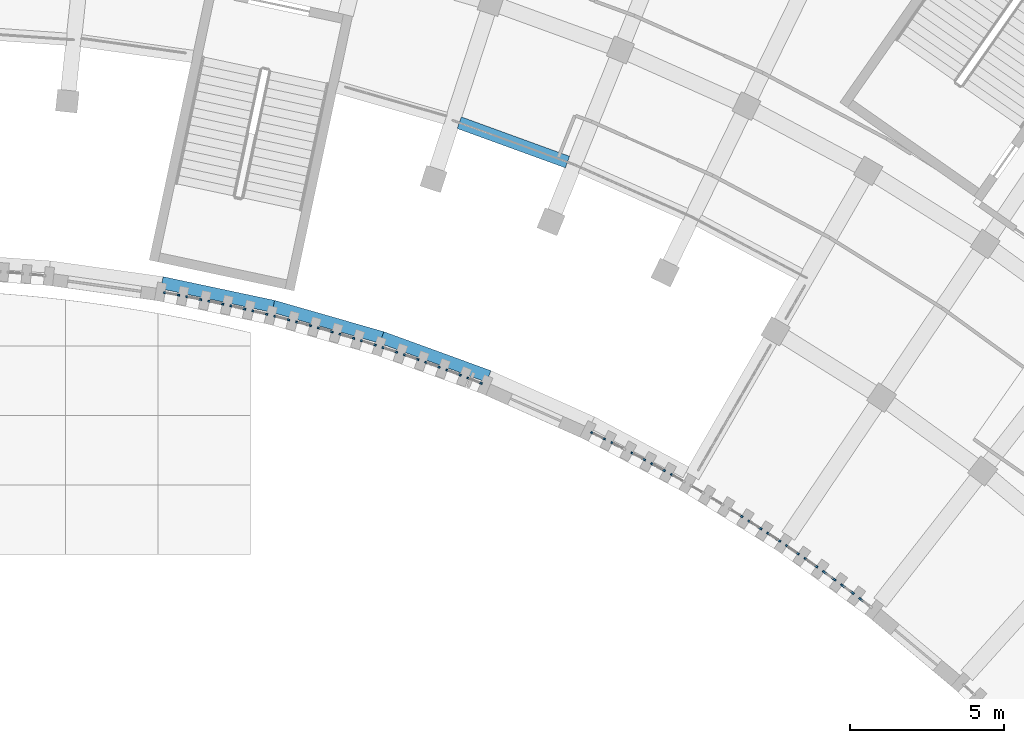
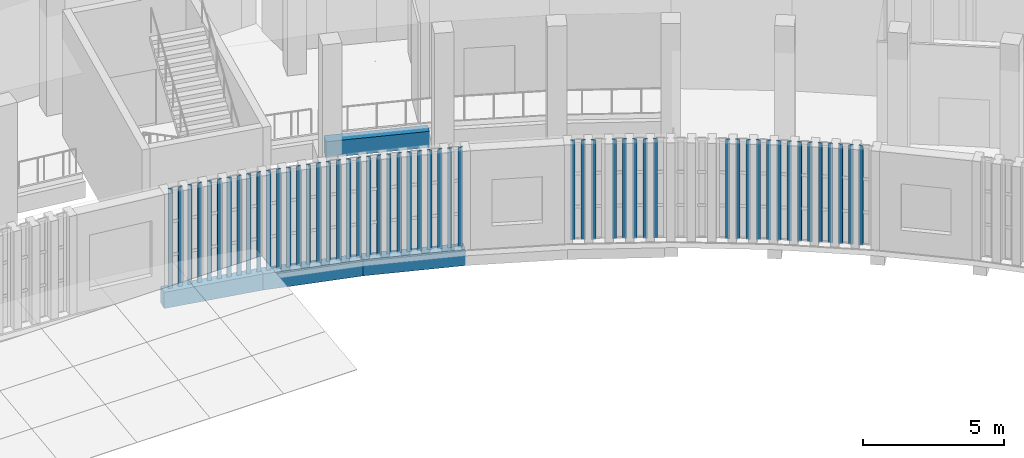
# One storey, part 14 of 112: 52 members, 4 beams, 28 elements without a shape of their own.
"""IFC4 building model written with IfcOpenShell, lengths in metres."""

from ifc_helpers import new_model, si_unit, direction, frame, origin, origin_2d, place, context, subcontext, project, spatial, rectangle, extrude, material, layer, layer_set, material_profile, profile_set, type_object, element, aggregate, save


model = new_model("IFC4")

# Units and contexts
model_context = context("Model", 3, precision=1e-05, world=origin(), true_north=direction((0.0, 1.0)))
body_context = subcontext(model_context, "Body", "Model", "MODEL_VIEW")
ifc_project = project(units=[si_unit("LENGTHUNIT", "METRE"), si_unit("AREAUNIT", "SQUARE_METRE"), si_unit("VOLUMEUNIT", "CUBIC_METRE"), si_unit("PLANEANGLEUNIT", "RADIAN"), si_unit("MASSUNIT", "GRAM", prefix="KILO")], contexts=[model_context])

# Site, building, storey
site_placement = place(None, origin())
site = spatial("IfcSite", under=ifc_project, at=site_placement, CompositionType="ELEMENT")
building_placement = place(site_placement, origin())
building = spatial("IfcBuilding", under=site, at=building_placement, Name="Lunette Opera House", CompositionType="ELEMENT")
storey_placement = place(building_placement, frame((0.0, 0.0, 6.0)))
storey = spatial("IfcBuildingStorey", under=building, at=storey_placement, Name="L01", CompositionType="ELEMENT", Elevation=6.0)

# Curtain wall, members
ifc_material_1 = material(Name="Aluminium", Category="aluminium")
ifc_layer = layer(ifc_material_1, 0.1201171875)
ifc_layer_set = layer_set([ifc_layer], Name="Aluminium")
curtain_wall_type = type_object("IfcCurtainWallType", Name="SLOT CURTAIN WALL", PredefinedType="NOTDEFINED", material=ifc_layer_set)
curtain_wall_1_placement = place(storey_placement, origin())
curtain_wall_1 = element("IfcCurtainWall", 1, at=curtain_wall_1_placement, inside=storey, type_object=curtain_wall_type, Name="Slot Curtain Wall CS046 L01", PredefinedType="NOTDEFINED")
ifc_material_2 = material(Name="Aluminium", Category="aluminium")
ifc_material_profile_1 = material_profile(ifc_material_2, rectangle(XDim=0.06005859375, YDim=0.159912109375, at=origin_2d()), Name="MULLION 60 X 160")
ifc_profile_set_1 = profile_set([ifc_material_profile_1], Name="Aluminium")
member_type = type_object("IfcMemberType", Name="MULLION 60 X 160", PredefinedType="MULLION", material=ifc_profile_set_1)
member_1_placement = place(storey_placement, frame((105.258544921875, 51.4736328125, 0.0), z_axis=(0.0, 0.0, 1.0), x_axis=(0.178681227225, 0.983907017475, 0.0)))
member_1 = element("IfcMember", 2, at=member_1_placement, type_object=member_type, Name="FC-X2092 mullion 1", PredefinedType="MULLION", context=body_context, shape_type="SweptSolid", body=[
    extrude(rectangle(XDim=0.06005859375, YDim=0.159912109375, at=origin_2d()), origin(), (0.0, 0.0, 1.0), 4.300048828125),
])
member_2_placement = place(storey_placement, frame((105.62353515625, 51.407470703125, 0.0), z_axis=(0.0, 0.0, 1.0), x_axis=(0.178681227225, 0.983907017475, 0.0)))
member_2 = element("IfcMember", 3, at=member_2_placement, type_object=member_type, Name="FC-X2092 mullion 2", PredefinedType="MULLION", context=body_context, shape_type="SweptSolid", body=[
    extrude(rectangle(XDim=0.06005859375, YDim=0.159912109375, at=origin_2d()), origin(), (0.0, 0.0, 1.0), 4.300048828125),
])
aggregate(curtain_wall_1, [member_1, member_2])

curtain_wall_2_placement = place(storey_placement, origin())
curtain_wall_2 = element("IfcCurtainWall", 4, at=curtain_wall_2_placement, inside=storey, type_object=curtain_wall_type, Name="Slot Curtain Wall CS047 L01", PredefinedType="NOTDEFINED")
member_3_placement = place(storey_placement, frame((105.976318359375, 51.339111328125, 0.0), z_axis=(0.0, 0.0, 1.0), x_axis=(0.192985163529, 0.981201674814, 0.0)))
member_3 = element("IfcMember", 5, at=member_3_placement, type_object=member_type, Name="FC-X2094 mullion 1", PredefinedType="MULLION", context=body_context, shape_type="SweptSolid", body=[
    extrude(rectangle(XDim=0.06005859375, YDim=0.159912109375, at=origin_2d()), origin(), (0.0, 0.0, 1.0), 4.300048828125),
])
member_4_placement = place(storey_placement, frame((106.339599609375, 51.267822265625, 0.0), z_axis=(0.0, 0.0, 1.0), x_axis=(0.192985163529, 0.981201674814, 0.0)))
member_4 = element("IfcMember", 6, at=member_4_placement, type_object=member_type, Name="FC-X2094 mullion 2", PredefinedType="MULLION", context=body_context, shape_type="SweptSolid", body=[
    extrude(rectangle(XDim=0.06005859375, YDim=0.159912109375, at=origin_2d()), origin(), (0.0, 0.0, 1.0), 4.300048828125),
])
aggregate(curtain_wall_2, [member_3, member_4])

curtain_wall_3_placement = place(storey_placement, origin())
curtain_wall_3 = element("IfcCurtainWall", 7, at=curtain_wall_3_placement, inside=storey, type_object=curtain_wall_type, Name="Slot Curtain Wall CS048 L01", PredefinedType="NOTDEFINED")
member_5_placement = place(storey_placement, frame((106.6923828125, 51.19482421875, 0.0), z_axis=(0.0, 0.0, 1.0), x_axis=(0.206830258672, 0.978376841558, 0.0)))
member_5 = element("IfcMember", 8, at=member_5_placement, type_object=member_type, Name="FC-X2096 mullion 1", PredefinedType="MULLION", context=body_context, shape_type="SweptSolid", body=[
    extrude(rectangle(XDim=0.06005859375, YDim=0.159912109375, at=origin_2d()), origin(), (0.0, 0.0, 1.0), 4.300048828125),
])
member_6_placement = place(storey_placement, frame((107.0546875, 51.1181640625, 0.0), z_axis=(0.0, 0.0, 1.0), x_axis=(0.206830258672, 0.978376841558, 0.0)))
member_6 = element("IfcMember", 9, at=member_6_placement, type_object=member_type, Name="FC-X2096 mullion 2", PredefinedType="MULLION", context=body_context, shape_type="SweptSolid", body=[
    extrude(rectangle(XDim=0.06005859375, YDim=0.159912109375, at=origin_2d()), origin(), (0.0, 0.0, 1.0), 4.300048828125),
])
aggregate(curtain_wall_3, [member_5, member_6])

curtain_wall_4_placement = place(storey_placement, origin())
curtain_wall_4 = element("IfcCurtainWall", 10, at=curtain_wall_4_placement, inside=storey, type_object=curtain_wall_type, Name="Slot Curtain Wall CS049 L01", PredefinedType="NOTDEFINED")
member_7_placement = place(storey_placement, frame((107.40625, 51.041259765625, 0.0), z_axis=(0.0, 0.0, 1.0), x_axis=(0.222824801509, 0.97485850657, 0.0)))
member_7 = element("IfcMember", 11, at=member_7_placement, type_object=member_type, Name="FC-X2098 mullion 1", PredefinedType="MULLION", context=body_context, shape_type="SweptSolid", body=[
    extrude(rectangle(XDim=0.06005859375, YDim=0.159912109375, at=origin_2d()), origin(), (0.0, 0.0, 1.0), 4.300048828125),
])
member_8_placement = place(storey_placement, frame((107.767822265625, 50.958740234375, 0.0), z_axis=(0.0, 0.0, 1.0), x_axis=(0.222824801509, 0.97485850657, 0.0)))
member_8 = element("IfcMember", 12, at=member_8_placement, type_object=member_type, Name="FC-X2098 mullion 2", PredefinedType="MULLION", context=body_context, shape_type="SweptSolid", body=[
    extrude(rectangle(XDim=0.06005859375, YDim=0.159912109375, at=origin_2d()), origin(), (0.0, 0.0, 1.0), 4.300048828125),
])
aggregate(curtain_wall_4, [member_7, member_8])

curtain_wall_5_placement = place(storey_placement, origin())
curtain_wall_5 = element("IfcCurtainWall", 13, at=curtain_wall_5_placement, inside=storey, type_object=curtain_wall_type, Name="Slot Curtain Wall CS050 L01", PredefinedType="NOTDEFINED")
member_9_placement = place(storey_placement, frame((108.1181640625, 50.876953125, 0.0), z_axis=(0.0, 0.0, 1.0), x_axis=(0.234867843442, 0.972027312434, 0.0)))
member_9 = element("IfcMember", 14, at=member_9_placement, type_object=member_type, Name="FC-X2100 mullion 1", PredefinedType="MULLION", context=body_context, shape_type="SweptSolid", body=[
    extrude(rectangle(XDim=0.06005859375, YDim=0.159912109375, at=origin_2d()), origin(), (0.0, 0.0, 1.0), 4.300048828125),
])
member_10_placement = place(storey_placement, frame((108.477783203125, 50.7900390625, 0.0), z_axis=(0.0, 0.0, 1.0), x_axis=(0.234867843442, 0.972027312434, 0.0)))
member_10 = element("IfcMember", 15, at=member_10_placement, type_object=member_type, Name="FC-X2100 mullion 2", PredefinedType="MULLION", context=body_context, shape_type="SweptSolid", body=[
    extrude(rectangle(XDim=0.06005859375, YDim=0.159912109375, at=origin_2d()), origin(), (0.0, 0.0, 1.0), 4.300048828125),
])
aggregate(curtain_wall_5, [member_9, member_10])

curtain_wall_6_placement = place(storey_placement, origin())
curtain_wall_6 = element("IfcCurtainWall", 16, at=curtain_wall_6_placement, inside=storey, type_object=curtain_wall_type, Name="Slot Curtain Wall CS051 L01", PredefinedType="NOTDEFINED")
member_11_placement = place(storey_placement, frame((108.8271484375, 50.70263671875, 0.0), z_axis=(0.0, 0.0, 1.0), x_axis=(0.248543003132, 0.968620862667, 0.0)))
member_11 = element("IfcMember", 17, at=member_11_placement, type_object=member_type, Name="FC-X2102 mullion 1", PredefinedType="MULLION", context=body_context, shape_type="SweptSolid", body=[
    extrude(rectangle(XDim=0.06005859375, YDim=0.159912109375, at=origin_2d()), origin(), (0.0, 0.0, 1.0), 4.300048828125),
])
member_12_placement = place(storey_placement, frame((109.18603515625, 50.6103515625, 0.0), z_axis=(0.0, 0.0, 1.0), x_axis=(0.248543003132, 0.968620862667, 0.0)))
member_12 = element("IfcMember", 18, at=member_12_placement, type_object=member_type, Name="FC-X2102 mullion 2", PredefinedType="MULLION", context=body_context, shape_type="SweptSolid", body=[
    extrude(rectangle(XDim=0.06005859375, YDim=0.159912109375, at=origin_2d()), origin(), (0.0, 0.0, 1.0), 4.300048828125),
])
aggregate(curtain_wall_6, [member_11, member_12])

curtain_wall_7_placement = place(storey_placement, origin())
curtain_wall_7 = element("IfcCurtainWall", 19, at=curtain_wall_7_placement, inside=storey, type_object=curtain_wall_type, Name="Slot Curtain Wall CS052 L01", PredefinedType="NOTDEFINED")
member_13_placement = place(storey_placement, frame((109.533935546875, 50.51806640625, 0.0), z_axis=(0.0, 0.0, 1.0), x_axis=(0.260557433934, 0.965458348983, 0.0)))
member_13 = element("IfcMember", 20, at=member_13_placement, type_object=member_type, Name="FC-X2104 mullion 1", PredefinedType="MULLION", context=body_context, shape_type="SweptSolid", body=[
    extrude(rectangle(XDim=0.06005859375, YDim=0.159912109375, at=origin_2d()), origin(), (0.0, 0.0, 1.0), 4.300048828125),
])
member_14_placement = place(storey_placement, frame((109.89111328125, 50.421875, 0.0), z_axis=(0.0, 0.0, 1.0), x_axis=(0.260557433934, 0.965458348983, 0.0)))
member_14 = element("IfcMember", 21, at=member_14_placement, type_object=member_type, Name="FC-X2104 mullion 2", PredefinedType="MULLION", context=body_context, shape_type="SweptSolid", body=[
    extrude(rectangle(XDim=0.06005859375, YDim=0.159912109375, at=origin_2d()), origin(), (0.0, 0.0, 1.0), 4.300048828125),
])
aggregate(curtain_wall_7, [member_13, member_14])

curtain_wall_8_placement = place(storey_placement, origin())
curtain_wall_8 = element("IfcCurtainWall", 22, at=curtain_wall_8_placement, inside=storey, type_object=curtain_wall_type, Name="Slot Curtain Wall CS053 L01", PredefinedType="NOTDEFINED")
member_15_placement = place(storey_placement, frame((110.23779296875, 50.32470703125, 0.0), z_axis=(0.0, 0.0, 1.0), x_axis=(0.276253818781, 0.961084714065, 0.0)))
member_15 = element("IfcMember", 23, at=member_15_placement, type_object=member_type, Name="FC-X2106 mullion 1", PredefinedType="MULLION", context=body_context, shape_type="SweptSolid", body=[
    extrude(rectangle(XDim=0.06005859375, YDim=0.159912109375, at=origin_2d()), origin(), (0.0, 0.0, 1.0), 4.300048828125),
])
member_16_placement = place(storey_placement, frame((110.59423828125, 50.22216796875, 0.0), z_axis=(0.0, 0.0, 1.0), x_axis=(0.276253818781, 0.961084714065, 0.0)))
member_16 = element("IfcMember", 24, at=member_16_placement, type_object=member_type, Name="FC-X2106 mullion 2", PredefinedType="MULLION", context=body_context, shape_type="SweptSolid", body=[
    extrude(rectangle(XDim=0.06005859375, YDim=0.159912109375, at=origin_2d()), origin(), (0.0, 0.0, 1.0), 4.300048828125),
])
aggregate(curtain_wall_8, [member_15, member_16])

curtain_wall_9_placement = place(storey_placement, origin())
curtain_wall_9 = element("IfcCurtainWall", 25, at=curtain_wall_9_placement, inside=storey, type_object=curtain_wall_type, Name="Slot Curtain Wall CS054 L01", PredefinedType="NOTDEFINED")
member_17_placement = place(storey_placement, frame((110.938720703125, 50.121337890625, 0.0), z_axis=(0.0, 0.0, 1.0), x_axis=(0.290329696075, 0.956926678266, 0.0)))
member_17 = element("IfcMember", 26, at=member_17_placement, type_object=member_type, Name="FC-X2108 mullion 1", PredefinedType="MULLION", context=body_context, shape_type="SweptSolid", body=[
    extrude(rectangle(XDim=0.06005859375, YDim=0.159912109375, at=origin_2d()), origin(), (0.0, 0.0, 1.0), 4.300048828125),
])
member_18_placement = place(storey_placement, frame((111.293212890625, 50.013671875, 0.0), z_axis=(0.0, 0.0, 1.0), x_axis=(0.290329696075, 0.956926678266, 0.0)))
member_18 = element("IfcMember", 27, at=member_18_placement, type_object=member_type, Name="FC-X2108 mullion 2", PredefinedType="MULLION", context=body_context, shape_type="SweptSolid", body=[
    extrude(rectangle(XDim=0.06005859375, YDim=0.159912109375, at=origin_2d()), origin(), (0.0, 0.0, 1.0), 4.300048828125),
])
aggregate(curtain_wall_9, [member_17, member_18])

curtain_wall_10_placement = place(storey_placement, origin())
curtain_wall_10 = element("IfcCurtainWall", 28, at=curtain_wall_10_placement, inside=storey, type_object=curtain_wall_type, Name="Slot Curtain Wall CS055 L01", PredefinedType="NOTDEFINED")
member_19_placement = place(storey_placement, frame((111.6376953125, 49.906982421875, 0.0), z_axis=(0.0, 0.0, 1.0), x_axis=(0.302243860731, 0.9532306377, 0.0)))
member_19 = element("IfcMember", 29, at=member_19_placement, type_object=member_type, Name="FC-X2110 mullion 1", PredefinedType="MULLION", context=body_context, shape_type="SweptSolid", body=[
    extrude(rectangle(XDim=0.06005859375, YDim=0.159912109375, at=origin_2d()), origin(), (0.0, 0.0, 1.0), 4.300048828125),
])
member_20_placement = place(storey_placement, frame((111.990478515625, 49.795166015625, 0.0), z_axis=(0.0, 0.0, 1.0), x_axis=(0.302243860731, 0.9532306377, 0.0)))
member_20 = element("IfcMember", 30, at=member_20_placement, type_object=member_type, Name="FC-X2110 mullion 2", PredefinedType="MULLION", context=body_context, shape_type="SweptSolid", body=[
    extrude(rectangle(XDim=0.06005859375, YDim=0.159912109375, at=origin_2d()), origin(), (0.0, 0.0, 1.0), 4.300048828125),
])
aggregate(curtain_wall_10, [member_19, member_20])

curtain_wall_11_placement = place(storey_placement, origin())
curtain_wall_11 = element("IfcCurtainWall", 31, at=curtain_wall_11_placement, inside=storey, type_object=curtain_wall_type, Name="Slot Curtain Wall CS056 L01", PredefinedType="NOTDEFINED")
member_21_placement = place(storey_placement, frame((112.33251953125, 49.6845703125, 0.0), z_axis=(0.0, 0.0, 1.0), x_axis=(0.316227766018, 0.94868329805, 0.0)))
member_21 = element("IfcMember", 32, at=member_21_placement, type_object=member_type, Name="FC-X2112 mullion 1", PredefinedType="MULLION", context=body_context, shape_type="SweptSolid", body=[
    extrude(rectangle(XDim=0.06005859375, YDim=0.159912109375, at=origin_2d()), origin(), (0.0, 0.0, 1.0), 4.300048828125),
])
member_22_placement = place(storey_placement, frame((112.68359375, 49.5673828125, 0.0), z_axis=(0.0, 0.0, 1.0), x_axis=(0.316227766018, 0.94868329805, 0.0)))
member_22 = element("IfcMember", 33, at=member_22_placement, type_object=member_type, Name="FC-X2112 mullion 2", PredefinedType="MULLION", context=body_context, shape_type="SweptSolid", body=[
    extrude(rectangle(XDim=0.06005859375, YDim=0.159912109375, at=origin_2d()), origin(), (0.0, 0.0, 1.0), 4.300048828125),
])
aggregate(curtain_wall_11, [member_21, member_22])

curtain_wall_12_placement = place(storey_placement, origin())
curtain_wall_12 = element("IfcCurtainWall", 34, at=curtain_wall_12_placement, inside=storey, type_object=curtain_wall_type, Name="Slot Curtain Wall CS057 L01", PredefinedType="NOTDEFINED")
member_23_placement = place(storey_placement, frame((113.0244140625, 49.451171875, 0.0), z_axis=(0.0, 0.0, 1.0), x_axis=(0.327349770191, 0.944903237351, 0.0)))
member_23 = element("IfcMember", 35, at=member_23_placement, type_object=member_type, Name="FC-X2114 mullion 1", PredefinedType="MULLION", context=body_context, shape_type="SweptSolid", body=[
    extrude(rectangle(XDim=0.06005859375, YDim=0.159912109375, at=origin_2d()), origin(), (0.0, 0.0, 1.0), 4.300048828125),
])
member_24_placement = place(storey_placement, frame((113.374755859375, 49.329833984375, 0.0), z_axis=(0.0, 0.0, 1.0), x_axis=(0.327349770191, 0.944903237351, 0.0)))
member_24 = element("IfcMember", 36, at=member_24_placement, type_object=member_type, Name="FC-X2114 mullion 2", PredefinedType="MULLION", context=body_context, shape_type="SweptSolid", body=[
    extrude(rectangle(XDim=0.06005859375, YDim=0.159912109375, at=origin_2d()), origin(), (0.0, 0.0, 1.0), 4.300048828125),
])
aggregate(curtain_wall_12, [member_23, member_24])

curtain_wall_13_placement = place(storey_placement, origin())
curtain_wall_13 = element("IfcCurtainWall", 37, at=curtain_wall_13_placement, inside=storey, type_object=curtain_wall_type, Name="Slot Curtain Wall CS058 L01", PredefinedType="NOTDEFINED")
member_25_placement = place(storey_placement, frame((113.713134765625, 49.208740234375, 0.0), z_axis=(0.0, 0.0, 1.0), x_axis=(0.341183934655, 0.939996554639, 0.0)))
member_25 = element("IfcMember", 38, at=member_25_placement, type_object=member_type, Name="FC-X2116 mullion 1", PredefinedType="MULLION", context=body_context, shape_type="SweptSolid", body=[
    extrude(rectangle(XDim=0.06005859375, YDim=0.159912109375, at=origin_2d()), origin(), (0.0, 0.0, 1.0), 4.300048828125),
])
member_26_placement = place(storey_placement, frame((114.061767578125, 49.082275390625, 0.0), z_axis=(0.0, 0.0, 1.0), x_axis=(0.341183934655, 0.939996554639, 0.0)))
member_26 = element("IfcMember", 39, at=member_26_placement, type_object=member_type, Name="FC-X2116 mullion 2", PredefinedType="MULLION", context=body_context, shape_type="SweptSolid", body=[
    extrude(rectangle(XDim=0.06005859375, YDim=0.159912109375, at=origin_2d()), origin(), (0.0, 0.0, 1.0), 4.300048828125),
])
aggregate(curtain_wall_13, [member_25, member_26])

curtain_wall_14_placement = place(storey_placement, origin())
curtain_wall_14 = element("IfcCurtainWall", 40, at=curtain_wall_14_placement, inside=storey, type_object=curtain_wall_type, Name="Slot Curtain Wall CS059 L01", PredefinedType="NOTDEFINED")
member_27_placement = place(storey_placement, frame((114.399169921875, 48.956298828125, 0.0), z_axis=(0.0, 0.0, 1.0), x_axis=(0.353672046164, 0.935369490502, 0.0)))
member_27 = element("IfcMember", 41, at=member_27_placement, type_object=member_type, Name="FC-X2118 mullion 1", PredefinedType="MULLION", context=body_context, shape_type="SweptSolid", body=[
    extrude(rectangle(XDim=0.06005859375, YDim=0.159912109375, at=origin_2d()), origin(), (0.0, 0.0, 1.0), 4.300048828125),
])
member_28_placement = place(storey_placement, frame((114.744873046875, 48.82568359375, 0.0), z_axis=(0.0, 0.0, 1.0), x_axis=(0.353672046164, 0.935369490502, 0.0)))
member_28 = element("IfcMember", 42, at=member_28_placement, type_object=member_type, Name="FC-X2118 mullion 2", PredefinedType="MULLION", context=body_context, shape_type="SweptSolid", body=[
    extrude(rectangle(XDim=0.06005859375, YDim=0.159912109375, at=origin_2d()), origin(), (0.0, 0.0, 1.0), 4.300048828125),
])
aggregate(curtain_wall_14, [member_27, member_28])

curtain_wall_15_placement = place(storey_placement, origin())
curtain_wall_15 = element("IfcCurtainWall", 43, at=curtain_wall_15_placement, inside=storey, type_object=curtain_wall_type, Name="Slot Curtain Wall CS060 L01", PredefinedType="NOTDEFINED")
member_29_placement = place(storey_placement, frame((115.080810546875, 48.695068359375, 0.0), z_axis=(0.0, 0.0, 1.0), x_axis=(0.367378285076, 0.93007160781, 0.0)))
member_29 = element("IfcMember", 44, at=member_29_placement, type_object=member_type, Name="FC-X2120 mullion 1", PredefinedType="MULLION", context=body_context, shape_type="SweptSolid", body=[
    extrude(rectangle(XDim=0.06005859375, YDim=0.159912109375, at=origin_2d()), origin(), (0.0, 0.0, 1.0), 4.300048828125),
])
member_30_placement = place(storey_placement, frame((115.425048828125, 48.55908203125, 0.0), z_axis=(0.0, 0.0, 1.0), x_axis=(0.367378285076, 0.93007160781, 0.0)))
member_30 = element("IfcMember", 45, at=member_30_placement, type_object=member_type, Name="FC-X2120 mullion 2", PredefinedType="MULLION", context=body_context, shape_type="SweptSolid", body=[
    extrude(rectangle(XDim=0.06005859375, YDim=0.159912109375, at=origin_2d()), origin(), (0.0, 0.0, 1.0), 4.300048828125),
])
aggregate(curtain_wall_15, [member_29, member_30])

curtain_wall_16_placement = place(storey_placement, origin())
curtain_wall_16 = element("IfcCurtainWall", 46, at=curtain_wall_16_placement, inside=storey, type_object=curtain_wall_type, Name="Slot Curtain Wall CS061 L01", PredefinedType="NOTDEFINED")
member_31_placement = place(storey_placement, frame((119.0888671875, 46.927734375, 0.0), z_axis=(0.0, 0.0, 1.0), x_axis=(0.444419253552, 0.895818914219, 0.0)))
member_31 = element("IfcMember", 47, at=member_31_placement, type_object=member_type, Name="FC-X2122 mullion 1", PredefinedType="MULLION", context=body_context, shape_type="SweptSolid", body=[
    extrude(rectangle(XDim=0.06005859375, YDim=0.159912109375, at=origin_2d()), origin(), (0.0, 0.0, 1.0), 4.300048828125),
])
member_32_placement = place(storey_placement, frame((119.420166015625, 46.763427734375, 0.0), z_axis=(0.0, 0.0, 1.0), x_axis=(0.444419253552, 0.895818914219, 0.0)))
member_32 = element("IfcMember", 48, at=member_32_placement, type_object=member_type, Name="FC-X2122 mullion 2", PredefinedType="MULLION", context=body_context, shape_type="SweptSolid", body=[
    extrude(rectangle(XDim=0.06005859375, YDim=0.159912109375, at=origin_2d()), origin(), (0.0, 0.0, 1.0), 4.300048828125),
])
aggregate(curtain_wall_16, [member_31, member_32])

# Curtain wall, member
curtain_wall_17_placement = place(storey_placement, origin())
curtain_wall_17 = element("IfcCurtainWall", 49, at=curtain_wall_17_placement, inside=storey, type_object=curtain_wall_type, Name="Slot Curtain Wall CS062 L01", PredefinedType="NOTDEFINED")
member_33_placement = place(storey_placement, frame((119.74169921875, 46.600341796875, 0.0), z_axis=(0.0, 0.0, 1.0), x_axis=(0.45650577905, 0.889720446935, 0.0)))
member_33 = element("IfcMember", 50, at=member_33_placement, type_object=member_type, Name="FC-X2124 mullion 1", PredefinedType="MULLION", context=body_context, shape_type="SweptSolid", body=[
    extrude(rectangle(XDim=0.06005859375, YDim=0.159912109375, at=origin_2d()), origin(), (0.0, 0.0, 1.0), 4.300048828125),
])
aggregate(curtain_wall_17, [member_33])

# Curtain wall, members
curtain_wall_18_placement = place(storey_placement, origin())
curtain_wall_18 = element("IfcCurtainWall", 51, at=curtain_wall_18_placement, inside=storey, type_object=curtain_wall_type, Name="Slot Curtain Wall CS063 L01", PredefinedType="NOTDEFINED")
member_34_placement = place(storey_placement, frame((120.389404296875, 46.264892578125, 0.0), z_axis=(0.0, 0.0, 1.0), x_axis=(0.469381737569, 0.882995347914, 0.0)))
member_34 = element("IfcMember", 52, at=member_34_placement, type_object=member_type, Name="FC-X2126 mullion 1", PredefinedType="MULLION", context=body_context, shape_type="SweptSolid", body=[
    extrude(rectangle(XDim=0.06005859375, YDim=0.159912109375, at=origin_2d()), origin(), (0.0, 0.0, 1.0), 4.300048828125),
])
member_35_placement = place(storey_placement, frame((120.716552734375, 46.091064453125, 0.0), z_axis=(0.0, 0.0, 1.0), x_axis=(0.469381737569, 0.882995347914, 0.0)))
member_35 = element("IfcMember", 53, at=member_35_placement, type_object=member_type, Name="FC-X2126 mullion 2", PredefinedType="MULLION", context=body_context, shape_type="SweptSolid", body=[
    extrude(rectangle(XDim=0.06005859375, YDim=0.159912109375, at=origin_2d()), origin(), (0.0, 0.0, 1.0), 4.300048828125),
])
aggregate(curtain_wall_18, [member_34, member_35])

curtain_wall_19_placement = place(storey_placement, origin())
curtain_wall_19 = element("IfcCurtainWall", 54, at=curtain_wall_19_placement, inside=storey, type_object=curtain_wall_type, Name="Slot Curtain Wall CS064 L01", PredefinedType="NOTDEFINED")
member_36_placement = place(storey_placement, frame((121.033203125, 45.919677734375, 0.0), z_axis=(0.0, 0.0, 1.0), x_axis=(0.481293842715, 0.876559317425, 0.0)))
member_36 = element("IfcMember", 55, at=member_36_placement, type_object=member_type, Name="FC-X2128 mullion 1", PredefinedType="MULLION", context=body_context, shape_type="SweptSolid", body=[
    extrude(rectangle(XDim=0.06005859375, YDim=0.159912109375, at=origin_2d()), origin(), (0.0, 0.0, 1.0), 4.300048828125),
])
member_37_placement = place(storey_placement, frame((121.357666015625, 45.741455078125, 0.0), z_axis=(0.0, 0.0, 1.0), x_axis=(0.481293842715, 0.876559317425, 0.0)))
member_37 = element("IfcMember", 56, at=member_37_placement, type_object=member_type, Name="FC-X2128 mullion 2", PredefinedType="MULLION", context=body_context, shape_type="SweptSolid", body=[
    extrude(rectangle(XDim=0.06005859375, YDim=0.159912109375, at=origin_2d()), origin(), (0.0, 0.0, 1.0), 4.300048828125),
])
aggregate(curtain_wall_19, [member_36, member_37])

# Curtain wall, member
curtain_wall_20_placement = place(storey_placement, origin())
curtain_wall_20 = element("IfcCurtainWall", 57, at=curtain_wall_20_placement, inside=storey, type_object=curtain_wall_type, Name="Slot Curtain Wall CS065 L01", PredefinedType="NOTDEFINED")
member_38_placement = place(storey_placement, frame((121.672119140625, 45.565185546875, 0.0), z_axis=(0.0, 0.0, 1.0), x_axis=(0.493129947711, 0.869955662474, 0.0)))
member_38 = element("IfcMember", 58, at=member_38_placement, type_object=member_type, Name="FC-X2130 mullion 1", PredefinedType="MULLION", context=body_context, shape_type="SweptSolid", body=[
    extrude(rectangle(XDim=0.06005859375, YDim=0.159912109375, at=origin_2d()), origin(), (0.0, 0.0, 1.0), 4.300048828125),
])
aggregate(curtain_wall_20, [member_38])

curtain_wall_21_placement = place(storey_placement, origin())
curtain_wall_21 = element("IfcCurtainWall", 59, at=curtain_wall_21_placement, inside=storey, type_object=curtain_wall_type, Name="Slot Curtain Wall CS068 L01", PredefinedType="NOTDEFINED")
member_39_placement = place(storey_placement, frame((123.87158203125, 44.2548828125, 0.0), z_axis=(0.0, 0.0, 1.0), x_axis=(0.52979005735, 0.848128819893, 0.0)))
member_39 = element("IfcMember", 60, at=member_39_placement, type_object=member_type, Name="FC-X2136 mullion 2", PredefinedType="MULLION", context=body_context, shape_type="SweptSolid", body=[
    extrude(rectangle(XDim=0.06005859375, YDim=0.159912109375, at=origin_2d()), origin(), (0.0, 0.0, 1.0), 4.300048828125),
])
aggregate(curtain_wall_21, [member_39])

# Curtain wall, members
curtain_wall_22_placement = place(storey_placement, origin())
curtain_wall_22 = element("IfcCurtainWall", 61, at=curtain_wall_22_placement, inside=storey, type_object=curtain_wall_type, Name="Slot Curtain Wall CS069 L01", PredefinedType="NOTDEFINED")
member_40_placement = place(storey_placement, frame((124.17529296875, 44.061767578125, 0.0), z_axis=(0.0, 0.0, 1.0), x_axis=(0.541227111143, 0.840876455946, 0.0)))
member_40 = element("IfcMember", 62, at=member_40_placement, type_object=member_type, Name="FC-X2138 mullion 1", PredefinedType="MULLION", context=body_context, shape_type="SweptSolid", body=[
    extrude(rectangle(XDim=0.06005859375, YDim=0.159912109375, at=origin_2d()), origin(), (0.0, 0.0, 1.0), 4.300048828125),
])
member_41_placement = place(storey_placement, frame((124.48681640625, 43.861328125, 0.0), z_axis=(0.0, 0.0, 1.0), x_axis=(0.541227111143, 0.840876455946, 0.0)))
member_41 = element("IfcMember", 63, at=member_41_placement, type_object=member_type, Name="FC-X2138 mullion 2", PredefinedType="MULLION", context=body_context, shape_type="SweptSolid", body=[
    extrude(rectangle(XDim=0.06005859375, YDim=0.159912109375, at=origin_2d()), origin(), (0.0, 0.0, 1.0), 4.300048828125),
])
aggregate(curtain_wall_22, [member_40, member_41])

curtain_wall_23_placement = place(storey_placement, origin())
curtain_wall_23 = element("IfcCurtainWall", 64, at=curtain_wall_23_placement, inside=storey, type_object=curtain_wall_type, Name="Slot Curtain Wall CS070 L01", PredefinedType="NOTDEFINED")
member_42_placement = place(storey_placement, frame((124.7880859375, 43.663330078125, 0.0), z_axis=(0.0, 0.0, 1.0), x_axis=(0.553626122068, 0.832765343277, 0.0)))
member_42 = element("IfcMember", 65, at=member_42_placement, type_object=member_type, Name="FC-X2140 mullion 1", PredefinedType="MULLION", context=body_context, shape_type="SweptSolid", body=[
    extrude(rectangle(XDim=0.06005859375, YDim=0.159912109375, at=origin_2d()), origin(), (0.0, 0.0, 1.0), 4.300048828125),
])
member_43_placement = place(storey_placement, frame((125.095947265625, 43.45849609375, 0.0), z_axis=(0.0, 0.0, 1.0), x_axis=(0.553626122068, 0.832765343277, 0.0)))
member_43 = element("IfcMember", 66, at=member_43_placement, type_object=member_type, Name="FC-X2140 mullion 2", PredefinedType="MULLION", context=body_context, shape_type="SweptSolid", body=[
    extrude(rectangle(XDim=0.06005859375, YDim=0.159912109375, at=origin_2d()), origin(), (0.0, 0.0, 1.0), 4.300048828125),
])
aggregate(curtain_wall_23, [member_42, member_43])

curtain_wall_24_placement = place(storey_placement, origin())
curtain_wall_24 = element("IfcCurtainWall", 67, at=curtain_wall_24_placement, inside=storey, type_object=curtain_wall_type, Name="Slot Curtain Wall CS071 L01", PredefinedType="NOTDEFINED")
member_44_placement = place(storey_placement, frame((125.394775390625, 43.258056640625, 0.0), z_axis=(0.0, 0.0, 1.0), x_axis=(0.56485056548, 0.825193212937, 0.0)))
member_44 = element("IfcMember", 68, at=member_44_placement, type_object=member_type, Name="FC-X2142 mullion 1", PredefinedType="MULLION", context=body_context, shape_type="SweptSolid", body=[
    extrude(rectangle(XDim=0.06005859375, YDim=0.159912109375, at=origin_2d()), origin(), (0.0, 0.0, 1.0), 4.300048828125),
])
member_45_placement = place(storey_placement, frame((125.7001953125, 43.048828125, 0.0), z_axis=(0.0, 0.0, 1.0), x_axis=(0.56485056548, 0.825193212937, 0.0)))
member_45 = element("IfcMember", 69, at=member_45_placement, type_object=member_type, Name="FC-X2142 mullion 2", PredefinedType="MULLION", context=body_context, shape_type="SweptSolid", body=[
    extrude(rectangle(XDim=0.06005859375, YDim=0.159912109375, at=origin_2d()), origin(), (0.0, 0.0, 1.0), 4.300048828125),
])
aggregate(curtain_wall_24, [member_44, member_45])

curtain_wall_25_placement = place(storey_placement, origin())
curtain_wall_25 = element("IfcCurtainWall", 70, at=curtain_wall_25_placement, inside=storey, type_object=curtain_wall_type, Name="Slot Curtain Wall CS072 L01", PredefinedType="NOTDEFINED")
member_46_placement = place(storey_placement, frame((125.99560546875, 42.8427734375, 0.0), z_axis=(0.0, 0.0, 1.0), x_axis=(0.575953532436, 0.817482433129, 0.0)))
member_46 = element("IfcMember", 71, at=member_46_placement, type_object=member_type, Name="FC-X2144 mullion 1", PredefinedType="MULLION", context=body_context, shape_type="SweptSolid", body=[
    extrude(rectangle(XDim=0.06005859375, YDim=0.159912109375, at=origin_2d()), origin(), (0.0, 0.0, 1.0), 4.300048828125),
])
member_47_placement = place(storey_placement, frame((126.298583984375, 42.62939453125, 0.0), z_axis=(0.0, 0.0, 1.0), x_axis=(0.575953532436, 0.817482433129, 0.0)))
member_47 = element("IfcMember", 72, at=member_47_placement, type_object=member_type, Name="FC-X2144 mullion 2", PredefinedType="MULLION", context=body_context, shape_type="SweptSolid", body=[
    extrude(rectangle(XDim=0.06005859375, YDim=0.159912109375, at=origin_2d()), origin(), (0.0, 0.0, 1.0), 4.300048828125),
])
aggregate(curtain_wall_25, [member_46, member_47])

curtain_wall_26_placement = place(storey_placement, origin())
curtain_wall_26 = element("IfcCurtainWall", 73, at=curtain_wall_26_placement, inside=storey, type_object=curtain_wall_type, Name="Slot Curtain Wall CS073 L01", PredefinedType="NOTDEFINED")
member_48_placement = place(storey_placement, frame((126.59130859375, 42.42041015625, 0.0), z_axis=(0.0, 0.0, 1.0), x_axis=(0.58803349085, 0.808836580304, 0.0)))
member_48 = element("IfcMember", 74, at=member_48_placement, type_object=member_type, Name="FC-X2146 mullion 1", PredefinedType="MULLION", context=body_context, shape_type="SweptSolid", body=[
    extrude(rectangle(XDim=0.06005859375, YDim=0.159912109375, at=origin_2d()), origin(), (0.0, 0.0, 1.0), 4.300048828125),
])
member_49_placement = place(storey_placement, frame((126.890625, 42.20263671875, 0.0), z_axis=(0.0, 0.0, 1.0), x_axis=(0.58803349085, 0.808836580304, 0.0)))
member_49 = element("IfcMember", 75, at=member_49_placement, type_object=member_type, Name="FC-X2146 mullion 2", PredefinedType="MULLION", context=body_context, shape_type="SweptSolid", body=[
    extrude(rectangle(XDim=0.06005859375, YDim=0.159912109375, at=origin_2d()), origin(), (0.0, 0.0, 1.0), 4.300048828125),
])
aggregate(curtain_wall_26, [member_48, member_49])

curtain_wall_27_placement = place(storey_placement, origin())
curtain_wall_27 = element("IfcCurtainWall", 76, at=curtain_wall_27_placement, inside=storey, type_object=curtain_wall_type, Name="Slot Curtain Wall CS074 L01", PredefinedType="NOTDEFINED")
member_50_placement = place(storey_placement, frame((127.179931640625, 41.989013671875, 0.0), z_axis=(0.0, 0.0, 1.0), x_axis=(0.598885213026, 0.800834877873, 0.0)))
member_50 = element("IfcMember", 77, at=member_50_placement, type_object=member_type, Name="FC-X2148 mullion 1", PredefinedType="MULLION", context=body_context, shape_type="SweptSolid", body=[
    extrude(rectangle(XDim=0.06005859375, YDim=0.159912109375, at=origin_2d()), origin(), (0.0, 0.0, 1.0), 4.300048828125),
])
member_51_placement = place(storey_placement, frame((127.47705078125, 41.766845703125, 0.0), z_axis=(0.0, 0.0, 1.0), x_axis=(0.598885213026, 0.800834877873, 0.0)))
member_51 = element("IfcMember", 78, at=member_51_placement, type_object=member_type, Name="FC-X2148 mullion 2", PredefinedType="MULLION", context=body_context, shape_type="SweptSolid", body=[
    extrude(rectangle(XDim=0.06005859375, YDim=0.159912109375, at=origin_2d()), origin(), (0.0, 0.0, 1.0), 4.300048828125),
])
aggregate(curtain_wall_27, [member_50, member_51])

# Curtain wall, member
curtain_wall_28_placement = place(storey_placement, origin())
curtain_wall_28 = element("IfcCurtainWall", 79, at=curtain_wall_28_placement, inside=storey, type_object=curtain_wall_type, Name="Slot Curtain Wall CS075 L01", PredefinedType="NOTDEFINED")
member_52_placement = place(storey_placement, frame((127.763671875, 41.549560546875, 0.0), z_axis=(0.0, 0.0, 1.0), x_axis=(0.610720263036, 0.791846424704, 0.0)))
member_52 = element("IfcMember", 80, at=member_52_placement, type_object=member_type, Name="FC-X2150 mullion 1", PredefinedType="MULLION", context=body_context, shape_type="SweptSolid", body=[
    extrude(rectangle(XDim=0.06005859375, YDim=0.159912109375, at=origin_2d()), origin(), (0.0, 0.0, 1.0), 4.300048828125),
])
aggregate(curtain_wall_28, [member_52])

# Beams
ifc_material_3 = material(Name="Concrete C35/45", Category="concrete")
ifc_material_profile_2 = material_profile(ifc_material_3, rectangle(XDim=0.39990234375, YDim=0.699951171875, at=origin_2d()), Name="RC BEAM 400X700")
ifc_profile_set_2 = profile_set([ifc_material_profile_2], Name="Concrete C35/45")
beam_type = type_object("IfcBeamType", Name="RC BEAM 400X700", PredefinedType="BEAM", material=ifc_profile_set_2)
beam_1_placement = place(storey_placement, frame((114.757080078125, 56.98388671875, -0.570068359375), z_axis=(0.939781948653, -0.341774617234, 0.0), x_axis=(0.341774617234, 0.939781948653, 0.0)))
element("IfcBeam", 81, at=beam_1_placement, inside=storey, type_object=beam_type, Name="beam-FC-L01-TRL01-012", PredefinedType="BEAM", context=body_context, shape_type="SweptSolid", body=[
    extrude(rectangle(XDim=0.39990234375, YDim=0.699951171875, at=origin_2d()), origin(), (0.0, 0.0, 1.0), 3.727294921875),
])
beam_2_placement = place(storey_placement, frame((115.712890625, 48.76708984375, -0.570068359375), z_axis=(-0.939710335866, 0.341971467621, 0.0), x_axis=(-0.341971467621, -0.939710335866, 0.0)))
element("IfcBeam", 82, at=beam_2_placement, inside=storey, type_object=beam_type, Name="beam-FC-L01-TRL01-017", PredefinedType="BEAM", context=body_context, shape_type="SweptSolid", body=[
    extrude(rectangle(XDim=0.39990234375, YDim=0.699951171875, at=origin_2d()), origin(), (0.0, 0.0, 1.0), 3.690185546875),
])
beam_3_placement = place(storey_placement, frame((112.263916015625, 50.02294921875, -0.570068359375), z_axis=(-0.961228940926, 0.275751560516, 0.0), x_axis=(-0.275751560516, -0.961228940926, 0.0)))
element("IfcBeam", 83, at=beam_3_placement, inside=storey, type_object=beam_type, Name="beam-FC-L01-TRL01-018", PredefinedType="BEAM", context=body_context, shape_type="SweptSolid", body=[
    extrude(rectangle(XDim=0.39990234375, YDim=0.699951171875, at=origin_2d()), origin(), (0.0, 0.0, 1.0), 3.69189453125),
])
beam_4_placement = place(storey_placement, frame((108.735107421875, 51.035888671875, -0.570068359375), z_axis=(-0.978173471122, 0.207789942956, 0.0), x_axis=(-0.207789942956, -0.978173471122, 0.0)))
element("IfcBeam", 84, at=beam_4_placement, inside=storey, type_object=beam_type, Name="beam-FC-L01-TRL01-019", PredefinedType="BEAM", context=body_context, shape_type="SweptSolid", body=[
    extrude(rectangle(XDim=0.39990234375, YDim=0.699951171875, at=origin_2d()), origin(), (0.0, 0.0, 1.0), 3.691650390625),
])

save(model, "model.ifc")
